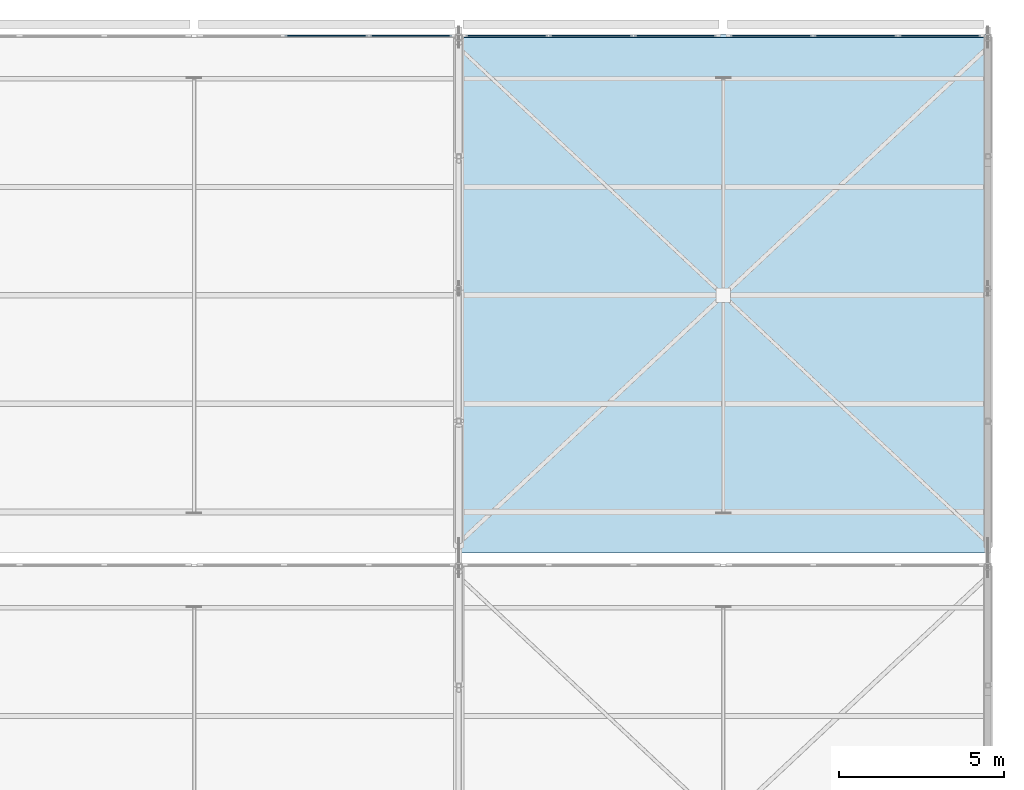
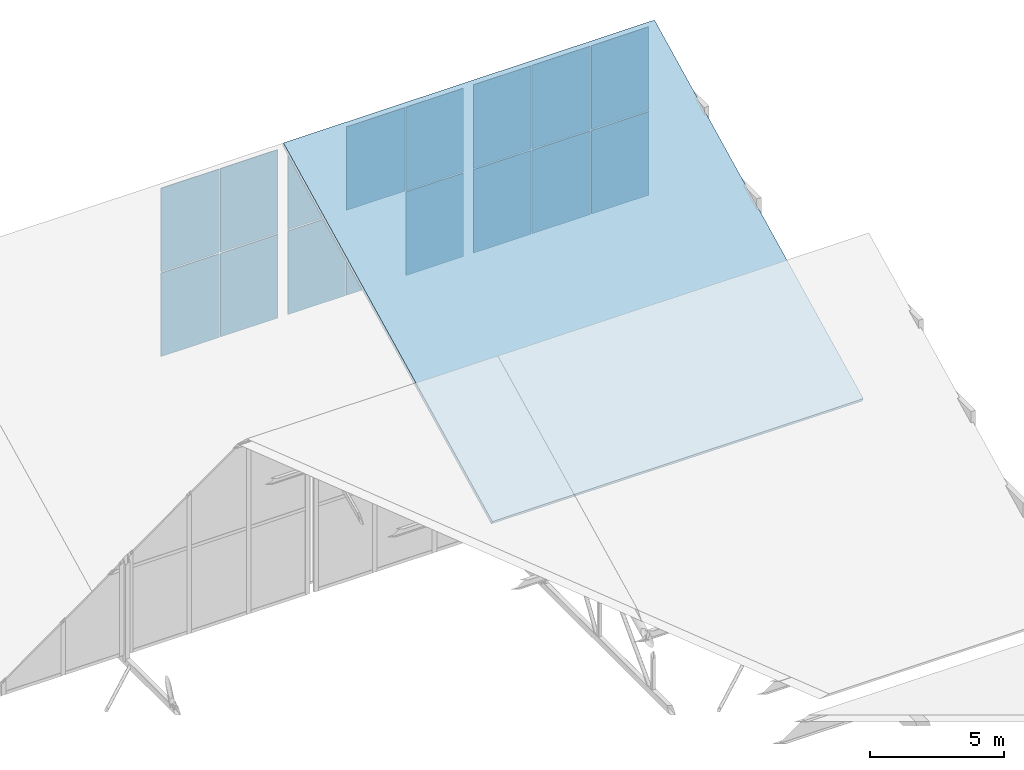
# One storey, part 99 of 137: 16 plates, 1 slab, 3 elements without a shape of their own.
"""IFC4 building model written with IfcOpenShell, lengths in metres."""

from ifc_helpers import new_model, si_unit, direction, frame, origin, origin_2d, place, context, subcontext, project, spatial, polyline, rectangle, outline, extrude, material, layer, layer_set, type_object, element, aggregate, save


model = new_model("IFC4")

# Units and contexts
model_context = context("Model", 3, precision=1e-05, world=origin(), true_north=direction((0.0, 1.0)))
body_context = subcontext(model_context, "Body", "Model", "MODEL_VIEW")
ifc_project = project(units=[si_unit("LENGTHUNIT", "METRE"), si_unit("AREAUNIT", "SQUARE_METRE"), si_unit("VOLUMEUNIT", "CUBIC_METRE"), si_unit("PLANEANGLEUNIT", "RADIAN"), si_unit("MASSUNIT", "GRAM", prefix="KILO")], contexts=[model_context])

# Site, building, storey
site_placement = place(None, origin())
site = spatial("IfcSite", under=ifc_project, at=site_placement, CompositionType="ELEMENT")
building_placement = place(site_placement, origin())
building = spatial("IfcBuilding", under=site, at=building_placement, Name="Jelvoka-Kovrelna Polytechnic", CompositionType="ELEMENT")
storey_placement = place(building_placement, frame((0.0, 0.0, 9.60009765625)))
storey = spatial("IfcBuildingStorey", under=building, at=storey_placement, Name="L03", CompositionType="ELEMENT", Elevation=9.60009765625)

# Curtain wall, plates
ifc_material_1 = material(Name="Anodised aluminium 6063-T6", Category="aluminium")
ifc_layer_1 = layer(ifc_material_1, 0.199951171875)
ifc_layer_set_1 = layer_set([ifc_layer_1], Name="Anodised aluminium 6063-T6")
curtain_wall_type = type_object("IfcCurtainWallType", Name="CW_Clerestory", PredefinedType="NOTDEFINED", material=ifc_layer_set_1)
curtain_wall_1_placement = place(storey_placement, origin())
curtain_wall_1 = element("IfcCurtainWall", 1, at=curtain_wall_1_placement, inside=storey, type_object=curtain_wall_type, Name="L03 glazed curtain wall 206", PredefinedType="NOTDEFINED")
ifc_material_2 = material(Name="Solar-control double glazing", Category="glass")
ifc_layer_2 = layer(ifc_material_2, 0.035888671875)
ifc_layer_set_2 = layer_set([ifc_layer_2], Name="Solar-control double glazing")
plate_type = type_object("IfcPlateType", Name="Panel_GP-03", PredefinedType="CURTAIN_PANEL", material=ifc_layer_set_2)
plate_1_placement = place(storey_placement, frame((180.0, 119.64990234375, 0.511962890625), z_axis=(0.0, 0.0, 1.0), x_axis=(1.0, 0.0, 0.0)))
plate_1 = element("IfcPlate", 2, at=plate_1_placement, type_object=plate_type, Name="CW-03 panel 2.1", PredefinedType="CURTAIN_PANEL", context=body_context, shape_type="SweptSolid", body=[
    extrude(rectangle(XDim=2.5126953125, YDim=0.035888671875, at=origin_2d()), origin(), (0.0, 0.0, 1.0), 3.81103515625),
])
plate_2_placement = place(storey_placement, frame((180.0, 119.64990234375, 4.376953125), z_axis=(0.0, 0.0, 1.0), x_axis=(1.0, 0.0, 0.0)))
plate_2 = element("IfcPlate", 3, at=plate_2_placement, type_object=plate_type, Name="CW-03 panel 2.2", PredefinedType="CURTAIN_PANEL", context=body_context, shape_type="SweptSolid", body=[
    extrude(rectangle(XDim=2.5126953125, YDim=0.035888671875, at=origin_2d()), origin(), (0.0, 0.0, 1.0), 3.81103515625),
])
plate_3_placement = place(storey_placement, frame((182.549072265625, 119.64990234375, 0.511962890625), z_axis=(0.0, 0.0, 1.0), x_axis=(1.0, 0.0, 0.0)))
plate_3 = element("IfcPlate", 4, at=plate_3_placement, type_object=plate_type, Name="CW-03 panel 3.1", PredefinedType="CURTAIN_PANEL", context=body_context, shape_type="SweptSolid", body=[
    extrude(rectangle(XDim=2.477783203125, YDim=0.035888671875, at=origin_2d()), origin(), (0.0, 0.0, 1.0), 3.81103515625),
])
plate_4_placement = place(storey_placement, frame((182.549072265625, 119.64990234375, 4.376953125), z_axis=(0.0, 0.0, 1.0), x_axis=(1.0, 0.0, 0.0)))
plate_4 = element("IfcPlate", 5, at=plate_4_placement, type_object=plate_type, Name="CW-03 panel 3.2", PredefinedType="CURTAIN_PANEL", context=body_context, shape_type="SweptSolid", body=[
    extrude(rectangle(XDim=2.477783203125, YDim=0.035888671875, at=origin_2d()), origin(), (0.0, 0.0, 1.0), 3.81103515625),
])
aggregate(curtain_wall_1, [plate_1, plate_2, plate_3, plate_4])

curtain_wall_2_placement = place(storey_placement, origin())
curtain_wall_2 = element("IfcCurtainWall", 6, at=curtain_wall_2_placement, inside=storey, type_object=curtain_wall_type, Name="L03 glazed curtain wall 208", PredefinedType="NOTDEFINED")
plate_5_placement = place(storey_placement, frame((185.450927734375, 119.64990234375, 0.511962890625), z_axis=(0.0, 0.0, 1.0), x_axis=(1.0, 0.0, 0.0)))
plate_5 = element("IfcPlate", 7, at=plate_5_placement, type_object=plate_type, Name="CW-03 panel 1.1", PredefinedType="CURTAIN_PANEL", context=body_context, shape_type="SweptSolid", body=[
    extrude(rectangle(XDim=2.477783203125, YDim=0.035888671875, at=origin_2d()), origin(), (0.0, 0.0, 1.0), 3.81103515625),
])
plate_6_placement = place(storey_placement, frame((185.450927734375, 119.64990234375, 4.376953125), z_axis=(0.0, 0.0, 1.0), x_axis=(1.0, 0.0, 0.0)))
plate_6 = element("IfcPlate", 8, at=plate_6_placement, type_object=plate_type, Name="CW-03 panel 1.2", PredefinedType="CURTAIN_PANEL", context=body_context, shape_type="SweptSolid", body=[
    extrude(rectangle(XDim=2.477783203125, YDim=0.035888671875, at=origin_2d()), origin(), (0.0, 0.0, 1.0), 3.81103515625),
])
plate_7_placement = place(storey_placement, frame((188.0, 119.64990234375, 0.511962890625), z_axis=(0.0, 0.0, 1.0), x_axis=(1.0, 0.0, 0.0)))
plate_7 = element("IfcPlate", 9, at=plate_7_placement, type_object=plate_type, Name="CW-03 panel 2.1", PredefinedType="CURTAIN_PANEL", context=body_context, shape_type="SweptSolid", body=[
    extrude(rectangle(XDim=2.5126953125, YDim=0.035888671875, at=origin_2d()), origin(), (0.0, 0.0, 1.0), 3.81103515625),
])
plate_8_placement = place(storey_placement, frame((188.0, 119.64990234375, 4.376953125), z_axis=(0.0, 0.0, 1.0), x_axis=(1.0, 0.0, 0.0)))
plate_8 = element("IfcPlate", 10, at=plate_8_placement, type_object=plate_type, Name="CW-03 panel 2.2", PredefinedType="CURTAIN_PANEL", context=body_context, shape_type="SweptSolid", body=[
    extrude(rectangle(XDim=2.5126953125, YDim=0.035888671875, at=origin_2d()), origin(), (0.0, 0.0, 1.0), 3.81103515625),
])
plate_9_placement = place(storey_placement, frame((190.549072265625, 119.64990234375, 0.511962890625), z_axis=(0.0, 0.0, 1.0), x_axis=(1.0, 0.0, 0.0)))
plate_9 = element("IfcPlate", 11, at=plate_9_placement, type_object=plate_type, Name="CW-03 panel 3.1", PredefinedType="CURTAIN_PANEL", context=body_context, shape_type="SweptSolid", body=[
    extrude(rectangle(XDim=2.477783203125, YDim=0.035888671875, at=origin_2d()), origin(), (0.0, 0.0, 1.0), 3.81103515625),
])
plate_10_placement = place(storey_placement, frame((190.549072265625, 119.64990234375, 4.376953125), z_axis=(0.0, 0.0, 1.0), x_axis=(1.0, 0.0, 0.0)))
plate_10 = element("IfcPlate", 12, at=plate_10_placement, type_object=plate_type, Name="CW-03 panel 3.2", PredefinedType="CURTAIN_PANEL", context=body_context, shape_type="SweptSolid", body=[
    extrude(rectangle(XDim=2.477783203125, YDim=0.035888671875, at=origin_2d()), origin(), (0.0, 0.0, 1.0), 3.81103515625),
])
aggregate(curtain_wall_2, [plate_5, plate_6, plate_7, plate_8, plate_9, plate_10])

curtain_wall_3_placement = place(storey_placement, origin())
curtain_wall_3 = element("IfcCurtainWall", 13, at=curtain_wall_3_placement, inside=storey, type_object=curtain_wall_type, Name="L03 glazed curtain wall 210", PredefinedType="NOTDEFINED")
plate_11_placement = place(storey_placement, frame((193.450927734375, 119.64990234375, 0.511962890625), z_axis=(0.0, 0.0, 1.0), x_axis=(1.0, 0.0, 0.0)))
plate_11 = element("IfcPlate", 14, at=plate_11_placement, type_object=plate_type, Name="CW-03 panel 1.1", PredefinedType="CURTAIN_PANEL", context=body_context, shape_type="SweptSolid", body=[
    extrude(rectangle(XDim=2.477783203125, YDim=0.035888671875, at=origin_2d()), origin(), (0.0, 0.0, 1.0), 3.81103515625),
])
plate_12_placement = place(storey_placement, frame((193.450927734375, 119.64990234375, 4.376953125), z_axis=(0.0, 0.0, 1.0), x_axis=(1.0, 0.0, 0.0)))
plate_12 = element("IfcPlate", 15, at=plate_12_placement, type_object=plate_type, Name="CW-03 panel 1.2", PredefinedType="CURTAIN_PANEL", context=body_context, shape_type="SweptSolid", body=[
    extrude(rectangle(XDim=2.477783203125, YDim=0.035888671875, at=origin_2d()), origin(), (0.0, 0.0, 1.0), 3.81103515625),
])
plate_13_placement = place(storey_placement, frame((196.0, 119.64990234375, 0.511962890625), z_axis=(0.0, 0.0, 1.0), x_axis=(1.0, 0.0, 0.0)))
plate_13 = element("IfcPlate", 16, at=plate_13_placement, type_object=plate_type, Name="CW-03 panel 2.1", PredefinedType="CURTAIN_PANEL", context=body_context, shape_type="SweptSolid", body=[
    extrude(rectangle(XDim=2.5126953125, YDim=0.035888671875, at=origin_2d()), origin(), (0.0, 0.0, 1.0), 3.81103515625),
])
plate_14_placement = place(storey_placement, frame((196.0, 119.64990234375, 4.376953125), z_axis=(0.0, 0.0, 1.0), x_axis=(1.0, 0.0, 0.0)))
plate_14 = element("IfcPlate", 17, at=plate_14_placement, type_object=plate_type, Name="CW-03 panel 2.2", PredefinedType="CURTAIN_PANEL", context=body_context, shape_type="SweptSolid", body=[
    extrude(rectangle(XDim=2.5126953125, YDim=0.035888671875, at=origin_2d()), origin(), (0.0, 0.0, 1.0), 3.81103515625),
])
plate_15_placement = place(storey_placement, frame((198.549072265625, 119.64990234375, 0.511962890625), z_axis=(0.0, 0.0, 1.0), x_axis=(1.0, 0.0, 0.0)))
plate_15 = element("IfcPlate", 18, at=plate_15_placement, type_object=plate_type, Name="CW-03 panel 3.1", PredefinedType="CURTAIN_PANEL", context=body_context, shape_type="SweptSolid", body=[
    extrude(rectangle(XDim=2.477783203125, YDim=0.035888671875, at=origin_2d()), origin(), (0.0, 0.0, 1.0), 3.81103515625),
])
plate_16_placement = place(storey_placement, frame((198.549072265625, 119.64990234375, 4.376953125), z_axis=(0.0, 0.0, 1.0), x_axis=(1.0, 0.0, 0.0)))
plate_16 = element("IfcPlate", 19, at=plate_16_placement, type_object=plate_type, Name="CW-03 panel 3.2", PredefinedType="CURTAIN_PANEL", context=body_context, shape_type="SweptSolid", body=[
    extrude(rectangle(XDim=2.477783203125, YDim=0.035888671875, at=origin_2d()), origin(), (0.0, 0.0, 1.0), 3.81103515625),
])
aggregate(curtain_wall_3, [plate_11, plate_12, plate_13, plate_14, plate_15, plate_16])

# Slab
ifc_material_3 = material(Name="Precast concrete C40/50", Category="concrete")
ifc_layer_3 = layer(ifc_material_3, 0.179931640625)
ifc_layer_set_3 = layer_set([ifc_layer_3], Name="Precast concrete C40/50")
slab_type = type_object("IfcSlabType", Name="Slab_Roof_Sawtooth_180", PredefinedType="ROOF", material=ifc_layer_set_3)
slab_placement = place(storey_placement, frame((184.0, 104.0, 0.639892578125), z_axis=(0.0, -0.4472135955, 0.894427191), x_axis=(1.0, 0.0, 0.0)))
element("IfcSlab", 20, at=slab_placement, inside=storey, type_object=slab_type, Name="V1 sawtooth south roof deck bay 7.2", PredefinedType="ROOF", context=body_context, shape_type="SweptSolid", body=[
    extrude(outline(polyline([(0.0, 0.0), (16.0, 0.0), (16.0, 17.441439407505076), (0.0, 17.441439407505076), (0.0, 0.0)])), origin(), (0.0, 0.0, -1.0), 0.179931640625),
])

save(model, "model.ifc")
